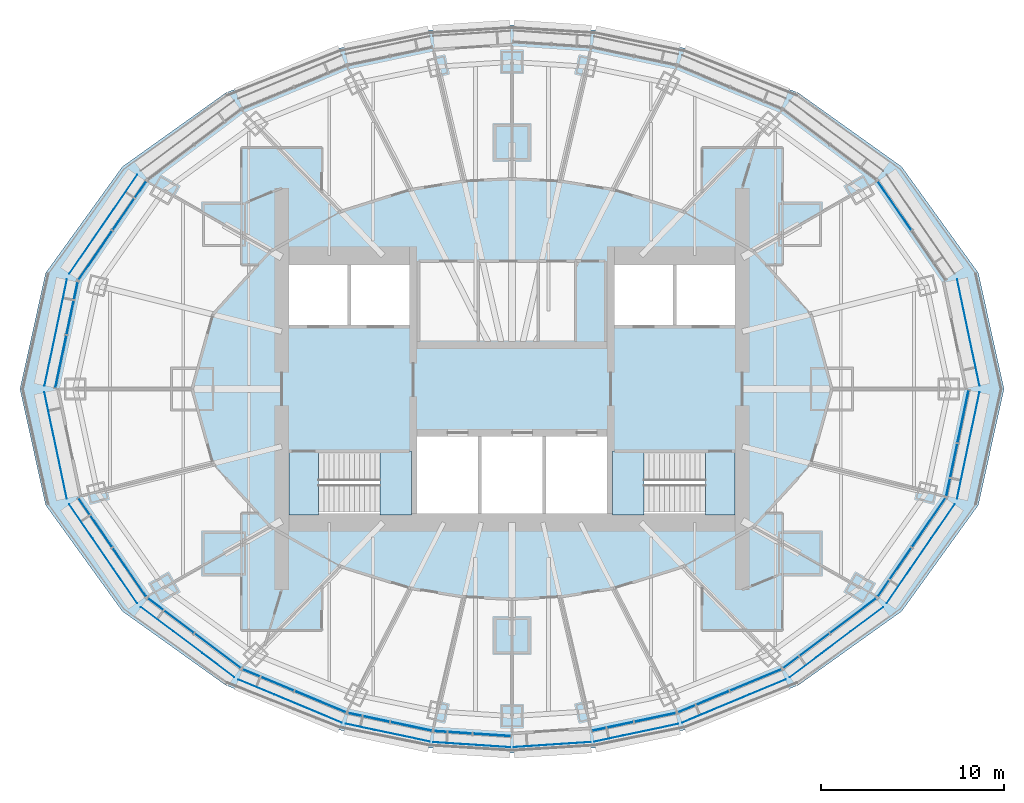
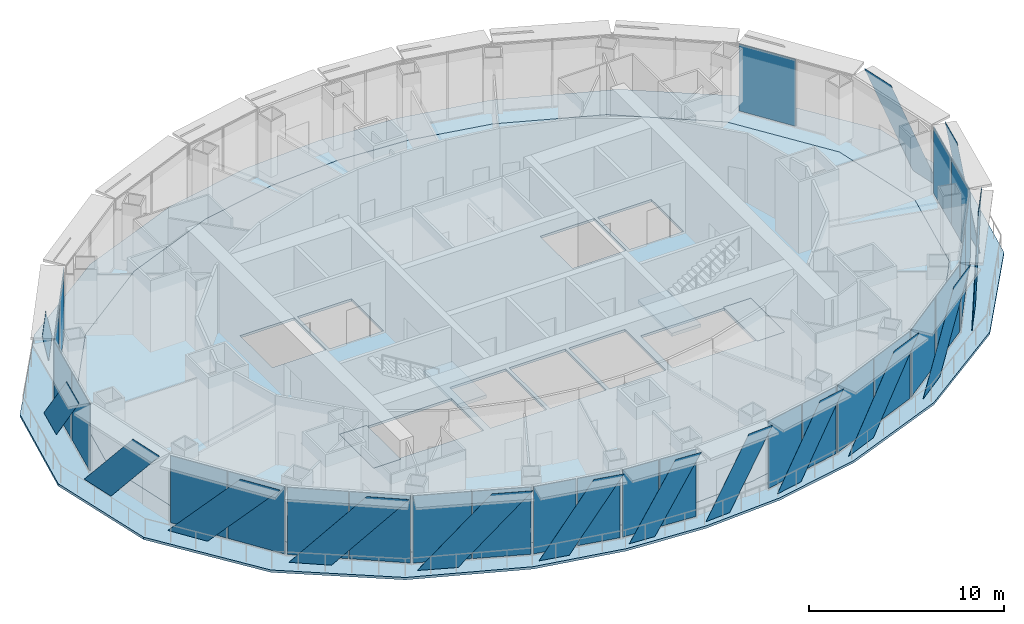
# One storey, part 8 of 17: 40 plates, 6 slabs, 15 elements without a shape of their own.
"""IFC4 building model written with IfcOpenShell, lengths in metres."""

import ifcopenshell
import ifcopenshell.guid

model = None  # the IFC model being written
_history = None  # IfcOwnerHistory: only IFC2X3 demands one
_inside = {}  # id of a spatial element -> (the spatial element, [elements in it])
_under = {}  # id of a project, library or spatial element -> (it, [spatial elements below it])
_declared = {}  # id of a project -> (the project, [libraries it declares])
_typed = {}  # id of a type object -> (the type object, [elements of that type])
_made_of = {}  # id of a material, layer set ... -> (it, [elements and type objects made of it])


def new_model(schema):
    """Start an empty IFC model of exactly this schema.

    Asked for "IFC4X3", IfcOpenShell would pick the latest addendum, in which some entities
    have other attributes; the version numbers below select the first issue.
    IFC2X3 requires an IfcOwnerHistory on every rooted entity: one is made here for all.
    """
    global model, _history
    if schema == "IFC4X3":
        model = ifcopenshell.file(schema_version=(4, 3, 0, 0))
    else:
        model = ifcopenshell.file(schema=schema)
    _inside.clear()
    _under.clear()
    _declared.clear()
    _typed.clear()
    _made_of.clear()
    _history = None
    if model.schema == "IFC2X3":
        org = make("IfcOrganization", Name="unknown")
        user = make(
            "IfcPersonAndOrganization",
            ThePerson=make("IfcPerson", FamilyName="unknown"),
            TheOrganization=org,
        )
        app = make(
            "IfcApplication",
            ApplicationDeveloper=org,
            Version="unknown",
            ApplicationFullName="unknown",
            ApplicationIdentifier="unknown",
        )
        _history = make(
            "IfcOwnerHistory",
            OwningUser=user,
            OwningApplication=app,
            ChangeAction="ADDED",
            CreationDate=0,
        )
    return model


def make(cls, **values):
    """One entity of the class cls with the attributes given. An attribute that is None is left unset."""
    return model.create_entity(
        cls, **{name: value for name, value in values.items() if value is not None}
    )


def rooted(cls, **values):
    """An entity with a GlobalId (a new one), such as an element, a storey or a relation."""
    return make(cls, GlobalId=ifcopenshell.guid.new(), OwnerHistory=_history, **values)


def si_unit(unit_type, name, prefix=None):
    """IfcSIUnit, for example si_unit("LENGTHUNIT", "METRE", prefix="MILLI")."""
    return make("IfcSIUnit", UnitType=unit_type, Prefix=prefix, Name=name)


def assignment(units):
    """IfcUnitAssignment: the units of a project."""
    return None if units is None else make("IfcUnitAssignment", Units=units)


def point(xyz):
    """IfcCartesianPoint."""
    return None if xyz is None else make("IfcCartesianPoint", Coordinates=xyz)


def direction(xyz):
    """IfcDirection."""
    return None if xyz is None else make("IfcDirection", DirectionRatios=xyz)


def frame(location, z_axis=None, x_axis=None):
    """IfcAxis2Placement3D, a coordinate frame: its origin and axes. An axis left out is left unset."""
    return make(
        "IfcAxis2Placement3D",
        Location=point(location),
        Axis=direction(z_axis),
        RefDirection=direction(x_axis),
    )


def frame_2d(location, x_axis=None):
    """IfcAxis2Placement2D, a coordinate frame in the plane: its origin and x axis."""
    return make(
        "IfcAxis2Placement2D", Location=point(location), RefDirection=direction(x_axis)
    )


def origin():
    """The frame at (0, 0, 0) with its axes left unset."""
    return frame((0.0, 0.0, 0.0))


def origin_2d():
    """The frame at (0, 0) in the plane with its x axis left unset."""
    return frame_2d((0.0, 0.0))


def place(relative_to, where):
    """IfcLocalPlacement: puts the frame where relative to a parent placement (None: the world)."""
    return make(
        "IfcLocalPlacement", PlacementRelTo=relative_to, RelativePlacement=where
    )


def context(
    kind, dimensions, precision=None, world=None, true_north=None, identifier=None
):
    """IfcGeometricRepresentationContext, for example the 3D "Model" context."""
    return make(
        "IfcGeometricRepresentationContext",
        ContextIdentifier=identifier,
        ContextType=kind,
        CoordinateSpaceDimension=dimensions,
        Precision=precision,
        WorldCoordinateSystem=world,
        TrueNorth=true_north,
    )


def subcontext(parent, identifier, kind, view, scale=None):
    """IfcGeometricRepresentationSubContext, for example "Body" below "Model"."""
    return make(
        "IfcGeometricRepresentationSubContext",
        ContextIdentifier=identifier,
        ContextType=kind,
        ParentContext=parent,
        TargetScale=scale,
        TargetView=view,
    )


def project(units=None, contexts=None):
    """IfcProject with its units and contexts."""
    return rooted(
        "IfcProject",
        Name="project",
        RepresentationContexts=contexts,
        UnitsInContext=assignment(units),
    )


def spatial(cls, under=None, at=None, **own):
    """A site, building, storey or space (cls), placed at a placement, below another one or the project."""
    s = rooted(cls, ObjectPlacement=at, **own)
    if under is not None:
        _under.setdefault(under.id(), (under, []))[1].append(s)
    return s


def polyline(points):
    """IfcPolyline through the points."""
    return make("IfcPolyline", Points=[point(p) for p in points])


def profile(cls, at=None, kind="AREA", **sizes):
    """A parametric profile (cls). Its sizes go by their IFC names, for example OverallWidth=200.0."""
    return make(cls, ProfileType=kind, Position=at, **sizes)


def rectangle(**sizes):
    """IfcRectangleProfileDef."""
    return profile("IfcRectangleProfileDef", **sizes)


def outline(outer, holes=None, kind="AREA"):
    """IfcArbitraryClosedProfileDef: a profile drawn as a closed curve; with holes, ...WithVoids."""
    if holes is None:
        return make("IfcArbitraryClosedProfileDef", ProfileType=kind, OuterCurve=outer)
    return make(
        "IfcArbitraryProfileDefWithVoids",
        ProfileType=kind,
        OuterCurve=outer,
        InnerCurves=holes,
    )


def extrude(swept, where, along, depth):
    """IfcExtrudedAreaSolid: the profile swept, set in the frame where, extruded along a direction by depth."""
    return make(
        "IfcExtrudedAreaSolid",
        SweptArea=swept,
        Position=where,
        ExtrudedDirection=direction(along),
        Depth=depth,
    )


def shape(context_of_items, identifier, shape_type, items):
    """IfcShapeRepresentation: the items that make up one representation, for example the "Body"."""
    return make(
        "IfcShapeRepresentation",
        ContextOfItems=context_of_items,
        RepresentationIdentifier=identifier,
        RepresentationType=shape_type,
        Items=items,
    )


def material(Name=None, Category=None):
    """IfcMaterial."""
    return make("IfcMaterial", Name=Name, Category=Category)


def layer(
    of_material, thickness, ventilated=None, Name=None, Category=None, Priority=None
):
    """IfcMaterialLayer: one layer of a wall or slab, of a material (None: an air gap)."""
    return make(
        "IfcMaterialLayer",
        Material=of_material,
        LayerThickness=thickness,
        IsVentilated=ventilated,
        Name=Name,
        Category=Category,
        Priority=Priority,
    )


def layer_set(layers, Name=None):
    """IfcMaterialLayerSet."""
    return make("IfcMaterialLayerSet", MaterialLayers=layers, LayerSetName=Name)


def made_of(thing, what):
    """Note that an element or type object is made of a material, layer set ...; save() writes the relation."""
    if what is not None:
        _made_of.setdefault(what.id(), (what, []))[1].append(thing)
    return thing


def type_object(cls, material=None, **own):
    """A type object (cls), such as IfcWallType, which elements share."""
    return made_of(rooted(cls, **own), material)


def element(
    cls,
    number,
    at=None,
    inside=None,
    cuts=None,
    type_object=None,
    material=None,
    context=None,
    identifier="Body",
    shape_type=None,
    held_by="IfcProductDefinitionShape",
    body=None,
    shapes=None,
    **own,
):
    """One element of the class cls, such as IfcWall. Its Tag is "e" and its number.

    at: its placement. inside: the storey or other place that contains it. cuts: it is an
    opening in that element (IfcRelVoidsElement). A single representation is given by context,
    identifier, shape_type and body (its items); several are given by shapes. held_by: the class
    of the entity that holds the representations. save() writes the other relations.
    """
    e = rooted(cls, Tag="e%d" % number, ObjectPlacement=at, **own)
    if body is not None:
        shapes = [shape(context, identifier, shape_type, body)]
    if shapes is not None:
        e.Representation = make(held_by, Representations=shapes)
    if inside is not None:
        _inside.setdefault(inside.id(), (inside, []))[1].append(e)
    if cuts is not None:
        rooted(
            "IfcRelVoidsElement", RelatingBuildingElement=cuts, RelatedOpeningElement=e
        )
    if type_object is not None:
        _typed.setdefault(type_object.id(), (type_object, []))[1].append(e)
    return made_of(e, material)


def aggregate(whole, parts):
    """IfcRelAggregates: a whole, such as a stair, and the parts it consists of."""
    return rooted("IfcRelAggregates", RelatingObject=whole, RelatedObjects=parts)


def save(model, path):
    """Write the relations noted so far, then the file.

    IfcRelAggregates (storeys below a building ...), IfcRelContainedInSpatialStructure (elements
    in a storey), IfcRelDefinesByType, IfcRelAssociatesMaterial and IfcRelDeclares: one each for
    every whole, place, type object, material and project.
    """
    for whole, parts in _under.values():
        aggregate(whole, parts)
    for where, things in _inside.values():
        rooted(
            "IfcRelContainedInSpatialStructure",
            RelatedElements=things,
            RelatingStructure=where,
        )
    for kind, things in _typed.values():
        rooted("IfcRelDefinesByType", RelatedObjects=things, RelatingType=kind)
    for what, things in _made_of.values():
        rooted("IfcRelAssociatesMaterial", RelatedObjects=things, RelatingMaterial=what)
    for by, libraries in _declared.values():
        rooted("IfcRelDeclares", RelatingContext=by, RelatedDefinitions=libraries)
    model.write(path)


model = new_model("IFC4")

# Units and contexts
model_context = context("Model", 3, precision=1e-05, world=origin(), true_north=direction((0.0, 1.0)))
body_context = subcontext(model_context, "Body", "Model", "MODEL_VIEW")
ifc_project = project(units=[si_unit("LENGTHUNIT", "METRE"), si_unit("AREAUNIT", "SQUARE_METRE"), si_unit("VOLUMEUNIT", "CUBIC_METRE"), si_unit("PLANEANGLEUNIT", "RADIAN"), si_unit("MASSUNIT", "GRAM", prefix="KILO")], contexts=[model_context])

# Site, building, storey
site_placement = place(None, origin())
site = spatial("IfcSite", under=ifc_project, at=site_placement, CompositionType="ELEMENT")
building_placement = place(site_placement, origin())
building = spatial("IfcBuilding", under=site, at=building_placement, Name="Lantaw Convention Tower", CompositionType="ELEMENT")
storey_placement = place(building_placement, frame((0.0, 0.0, 270.39990234375)))
storey = spatial("IfcBuildingStorey", under=building, at=storey_placement, Name="L63", CompositionType="ELEMENT", Elevation=270.39990234375)

# Curtain wall, plate
ifc_material_1 = material(Name="Aluminium framed curtain wall", Category="aluminium")
curtain_wall_type = type_object("IfcCurtainWallType", Name="Executive floors curtain wall, pale aluminium", PredefinedType="USERDEFINED", material=ifc_material_1)
curtain_wall_1_placement = place(storey_placement, origin())
curtain_wall_1 = element("IfcCurtainWall", 1, at=curtain_wall_1_placement, inside=storey, type_object=curtain_wall_type, Name="Executive floors curtain wall, pale aluminium L63", ObjectType="UNITISED CURTAIN WALL", PredefinedType="USERDEFINED")
ifc_material_2 = material(Name="Clear insulating glass", Category="glass")
ifc_layer_1 = layer(ifc_material_2, 0.030029296875)
ifc_layer_set_1 = layer_set([ifc_layer_1], Name="CW-T panel 30")
plate_type_1 = type_object("IfcPlateType", Name="CW-T panel 30", PredefinedType="CURTAIN_PANEL", material=ifc_layer_set_1)
plate_1_placement = place(storey_placement, frame((20.93505859375, 10.030029296875, 0.070068359375), z_axis=(0.0, 0.0, 1.0), x_axis=(-0.565934832921, 0.824449977189, 0.0)))
plate_1 = element("IfcPlate", 2, at=plate_1_placement, type_object=plate_type_1, Name="CW-T panel 2.1", PredefinedType="CURTAIN_PANEL", context=body_context, shape_type="SweptSolid", body=[
    extrude(rectangle(XDim=3.22802734375, YDim=0.030029296875, at=origin_2d()), origin(), (0.0, 0.0, 1.0), 4.2099609375),
])
aggregate(curtain_wall_1, [plate_1])

# Curtain wall, plates
curtain_wall_2_placement = place(storey_placement, origin())
curtain_wall_2 = element("IfcCurtainWall", 3, at=curtain_wall_2_placement, inside=storey, type_object=curtain_wall_type, Name="Executive floors curtain wall, pale aluminium L63", ObjectType="UNITISED CURTAIN WALL", PredefinedType="USERDEFINED")
plate_2_placement = place(storey_placement, frame((-20.93505859375, 10.030029296875, 0.070068359375), z_axis=(0.0, 0.0, 1.0), x_axis=(-0.565934832921, -0.824449977189, 0.0)))
plate_2 = element("IfcPlate", 4, at=plate_2_placement, type_object=plate_type_1, Name="CW-T panel 1.1", PredefinedType="CURTAIN_PANEL", context=body_context, shape_type="SweptSolid", body=[
    extrude(rectangle(XDim=3.22802734375, YDim=0.030029296875, at=origin_2d()), origin(), (0.0, 0.0, 1.0), 4.2099609375),
])
plate_3_placement = place(storey_placement, frame((-22.80126953125, 7.31103515625, 0.070068359375), z_axis=(0.0, 0.0, 1.0), x_axis=(-0.565934832921, -0.824449977189, 0.0)))
plate_3 = element("IfcPlate", 5, at=plate_3_placement, type_object=plate_type_1, Name="CW-T panel 2.1", PredefinedType="CURTAIN_PANEL", context=body_context, shape_type="SweptSolid", body=[
    extrude(rectangle(XDim=3.22802734375, YDim=0.030029296875, at=origin_2d()), origin(), (0.0, 0.0, 1.0), 4.2099609375),
])
aggregate(curtain_wall_2, [plate_2, plate_3])

curtain_wall_3_placement = place(storey_placement, origin())
curtain_wall_3 = element("IfcCurtainWall", 6, at=curtain_wall_3_placement, inside=storey, type_object=curtain_wall_type, Name="Executive floors curtain wall, pale aluminium L63", ObjectType="UNITISED CURTAIN WALL", PredefinedType="USERDEFINED")
plate_4_placement = place(storey_placement, frame((-24.0693359375, 4.4248046875, 0.070068359375), z_axis=(0.0, 0.0, 1.0), x_axis=(-0.205814054946, -0.978591117263, 0.0)))
plate_4 = element("IfcPlate", 7, at=plate_4_placement, type_object=plate_type_1, Name="CW-T panel 1.1", PredefinedType="CURTAIN_PANEL", context=body_context, shape_type="SweptSolid", body=[
    extrude(rectangle(XDim=2.921142578125, YDim=0.030029296875, at=origin_2d()), origin(), (0.0, 0.0, 1.0), 4.2099609375),
])
plate_5_placement = place(storey_placement, frame((-24.68505859375, 1.497802734375, 0.070068359375), z_axis=(0.0, 0.0, 1.0), x_axis=(-0.205814054946, -0.978591117263, 0.0)))
plate_5 = element("IfcPlate", 8, at=plate_5_placement, type_object=plate_type_1, Name="CW-T panel 2.1", PredefinedType="CURTAIN_PANEL", context=body_context, shape_type="SweptSolid", body=[
    extrude(rectangle(XDim=2.921142578125, YDim=0.030029296875, at=origin_2d()), origin(), (0.0, 0.0, 1.0), 4.2099609375),
])
aggregate(curtain_wall_3, [plate_4, plate_5])

curtain_wall_4_placement = place(storey_placement, origin())
curtain_wall_4 = element("IfcCurtainWall", 9, at=curtain_wall_4_placement, inside=storey, type_object=curtain_wall_type, Name="Executive floors curtain wall, pale aluminium L63", ObjectType="UNITISED CURTAIN WALL", PredefinedType="USERDEFINED")
plate_6_placement = place(storey_placement, frame((-22.80126953125, -7.31103515625, 0.070068359375), z_axis=(0.0, 0.0, 1.0), x_axis=(0.565934832921, -0.824449977189, 0.0)))
plate_6 = element("IfcPlate", 10, at=plate_6_placement, type_object=plate_type_1, Name="CW-T panel 1.1", PredefinedType="CURTAIN_PANEL", context=body_context, shape_type="SweptSolid", body=[
    extrude(rectangle(XDim=3.22802734375, YDim=0.030029296875, at=origin_2d()), origin(), (0.0, 0.0, 1.0), 4.2099609375),
])
plate_7_placement = place(storey_placement, frame((-20.93505859375, -10.030029296875, 0.070068359375), z_axis=(0.0, 0.0, 1.0), x_axis=(0.565934832921, -0.824449977189, 0.0)))
plate_7 = element("IfcPlate", 11, at=plate_7_placement, type_object=plate_type_1, Name="CW-T panel 2.1", PredefinedType="CURTAIN_PANEL", context=body_context, shape_type="SweptSolid", body=[
    extrude(rectangle(XDim=3.22802734375, YDim=0.030029296875, at=origin_2d()), origin(), (0.0, 0.0, 1.0), 4.2099609375),
])
aggregate(curtain_wall_4, [plate_6, plate_7])

curtain_wall_5_placement = place(storey_placement, origin())
curtain_wall_5 = element("IfcCurtainWall", 12, at=curtain_wall_5_placement, inside=storey, type_object=curtain_wall_type, Name="Executive floors curtain wall, pale aluminium L63", ObjectType="UNITISED CURTAIN WALL", PredefinedType="USERDEFINED")
plate_8_placement = place(storey_placement, frame((-18.67041015625, -12.403564453125, 0.070068359375), z_axis=(0.0, 0.0, 1.0), x_axis=(0.799517528732, -0.600642756762, 0.0)))
plate_8 = element("IfcPlate", 13, at=plate_8_placement, type_object=plate_type_1, Name="CW-T panel 1.1", PredefinedType="CURTAIN_PANEL", context=body_context, shape_type="SweptSolid", body=[
    extrude(rectangle(XDim=3.140869140625, YDim=0.030029296875, at=origin_2d()), origin(), (0.0, 0.0, 1.0), 4.2099609375),
])
plate_9_placement = place(storey_placement, frame((-16.103271484375, -14.33203125, 0.070068359375), z_axis=(0.0, 0.0, 1.0), x_axis=(0.799517528732, -0.600642756762, 0.0)))
plate_9 = element("IfcPlate", 14, at=plate_9_placement, type_object=plate_type_1, Name="CW-T panel 2.1", PredefinedType="CURTAIN_PANEL", context=body_context, shape_type="SweptSolid", body=[
    extrude(rectangle(XDim=3.140869140625, YDim=0.030029296875, at=origin_2d()), origin(), (0.0, 0.0, 1.0), 4.2099609375),
])
aggregate(curtain_wall_5, [plate_8, plate_9])

curtain_wall_6_placement = place(storey_placement, origin())
curtain_wall_6 = element("IfcCurtainWall", 15, at=curtain_wall_6_placement, inside=storey, type_object=curtain_wall_type, Name="Executive floors curtain wall, pale aluminium L63", ObjectType="UNITISED CURTAIN WALL", PredefinedType="USERDEFINED")
plate_10_placement = place(storey_placement, frame((-13.334716796875, -15.92431640625, 0.070068359375), z_axis=(0.0, 0.0, 1.0), x_axis=(0.923141777124, -0.384459697924, 0.0)))
plate_10 = element("IfcPlate", 16, at=plate_10_placement, type_object=plate_type_1, Name="CW-T panel 1.1", PredefinedType="CURTAIN_PANEL", context=body_context, shape_type="SweptSolid", body=[
    extrude(rectangle(XDim=3.01708984375, YDim=0.030029296875, at=origin_2d()), origin(), (0.0, 0.0, 1.0), 4.2099609375),
])
plate_11_placement = place(storey_placement, frame((-10.48486328125, -17.111083984375, 0.070068359375), z_axis=(0.0, 0.0, 1.0), x_axis=(0.923141777124, -0.384459697924, 0.0)))
plate_11 = element("IfcPlate", 17, at=plate_11_placement, type_object=plate_type_1, Name="CW-T panel 2.1", PredefinedType="CURTAIN_PANEL", context=body_context, shape_type="SweptSolid", body=[
    extrude(rectangle(XDim=3.01708984375, YDim=0.030029296875, at=origin_2d()), origin(), (0.0, 0.0, 1.0), 4.2099609375),
])
aggregate(curtain_wall_6, [plate_10, plate_11])

curtain_wall_7_placement = place(storey_placement, origin())
curtain_wall_7 = element("IfcCurtainWall", 18, at=curtain_wall_7_placement, inside=storey, type_object=curtain_wall_type, Name="Executive floors curtain wall, pale aluminium L63", ObjectType="UNITISED CURTAIN WALL", PredefinedType="USERDEFINED")
plate_12_placement = place(storey_placement, frame((-7.833740234375, -17.970703125, 0.070068359375), z_axis=(0.0, 0.0, 1.0), x_axis=(0.978332497083, -0.207039911975, 0.0)))
plate_12 = element("IfcPlate", 19, at=plate_12_placement, type_object=plate_type_1, Name="CW-T panel 1.1", PredefinedType="CURTAIN_PANEL", context=body_context, shape_type="SweptSolid", body=[
    extrude(rectangle(XDim=2.30078125, YDim=0.030029296875, at=origin_2d()), origin(), (0.0, 0.0, 1.0), 4.2099609375),
])
plate_13_placement = place(storey_placement, frame((-5.514404296875, -18.46142578125, 0.070068359375), z_axis=(0.0, 0.0, 1.0), x_axis=(0.978332497083, -0.207039911975, 0.0)))
plate_13 = element("IfcPlate", 20, at=plate_13_placement, type_object=plate_type_1, Name="CW-T panel 2.1", PredefinedType="CURTAIN_PANEL", context=body_context, shape_type="SweptSolid", body=[
    extrude(rectangle(XDim=2.30078125, YDim=0.030029296875, at=origin_2d()), origin(), (0.0, 0.0, 1.0), 4.2099609375),
])
aggregate(curtain_wall_7, [plate_12, plate_13])

curtain_wall_8_placement = place(storey_placement, origin())
curtain_wall_8 = element("IfcCurtainWall", 21, at=curtain_wall_8_placement, inside=storey, type_object=curtain_wall_type, Name="Executive floors curtain wall, pale aluminium L63", ObjectType="UNITISED CURTAIN WALL", PredefinedType="USERDEFINED")
plate_14_placement = place(storey_placement, frame((-3.222900390625, -18.78662109375, 0.070068359375), z_axis=(0.0, 0.0, 1.0), x_axis=(0.997817975525, -0.066024902273, 0.0)))
plate_14 = element("IfcPlate", 22, at=plate_14_placement, type_object=plate_type_1, Name="CW-T panel 1.1", PredefinedType="CURTAIN_PANEL", context=body_context, shape_type="SweptSolid", body=[
    extrude(rectangle(XDim=2.06005859375, YDim=0.030029296875, at=origin_2d()), origin(), (0.0, 0.0, 1.0), 4.2099609375),
])
plate_15_placement = place(storey_placement, frame((-1.09765625, -18.927490234375, 0.070068359375), z_axis=(0.0, 0.0, 1.0), x_axis=(0.997817975525, -0.066024902273, 0.0)))
plate_15 = element("IfcPlate", 23, at=plate_15_placement, type_object=plate_type_1, Name="CW-T panel 2.1", PredefinedType="CURTAIN_PANEL", context=body_context, shape_type="SweptSolid", body=[
    extrude(rectangle(XDim=2.06005859375, YDim=0.030029296875, at=origin_2d()), origin(), (0.0, 0.0, 1.0), 4.2099609375),
])
aggregate(curtain_wall_8, [plate_14, plate_15])

curtain_wall_9_placement = place(storey_placement, origin())
curtain_wall_9 = element("IfcCurtainWall", 24, at=curtain_wall_9_placement, inside=storey, type_object=curtain_wall_type, Name="Executive floors curtain wall, pale aluminium L63", ObjectType="UNITISED CURTAIN WALL", PredefinedType="USERDEFINED")
plate_16_placement = place(storey_placement, frame((5.514404296875, -18.46142578125, 0.070068359375), z_axis=(0.0, 0.0, 1.0), x_axis=(0.978332497083, 0.207039911975, 0.0)))
plate_16 = element("IfcPlate", 25, at=plate_16_placement, type_object=plate_type_1, Name="CW-T panel 1.1", PredefinedType="CURTAIN_PANEL", context=body_context, shape_type="SweptSolid", body=[
    extrude(rectangle(XDim=2.30078125, YDim=0.030029296875, at=origin_2d()), origin(), (0.0, 0.0, 1.0), 4.2099609375),
])
plate_17_placement = place(storey_placement, frame((7.833740234375, -17.970703125, 0.070068359375), z_axis=(0.0, 0.0, 1.0), x_axis=(0.978332497083, 0.207039911975, 0.0)))
plate_17 = element("IfcPlate", 26, at=plate_17_placement, type_object=plate_type_1, Name="CW-T panel 2.1", PredefinedType="CURTAIN_PANEL", context=body_context, shape_type="SweptSolid", body=[
    extrude(rectangle(XDim=2.30078125, YDim=0.030029296875, at=origin_2d()), origin(), (0.0, 0.0, 1.0), 4.2099609375),
])
aggregate(curtain_wall_9, [plate_16, plate_17])

curtain_wall_10_placement = place(storey_placement, origin())
curtain_wall_10 = element("IfcCurtainWall", 27, at=curtain_wall_10_placement, inside=storey, type_object=curtain_wall_type, Name="Executive floors curtain wall, pale aluminium L63", ObjectType="UNITISED CURTAIN WALL", PredefinedType="USERDEFINED")
plate_18_placement = place(storey_placement, frame((10.48486328125, -17.111083984375, 0.070068359375), z_axis=(0.0, 0.0, 1.0), x_axis=(0.923141777124, 0.384459697924, 0.0)))
plate_18 = element("IfcPlate", 28, at=plate_18_placement, type_object=plate_type_1, Name="CW-T panel 1.1", PredefinedType="CURTAIN_PANEL", context=body_context, shape_type="SweptSolid", body=[
    extrude(rectangle(XDim=3.01708984375, YDim=0.030029296875, at=origin_2d()), origin(), (0.0, 0.0, 1.0), 4.2099609375),
])
plate_19_placement = place(storey_placement, frame((13.334716796875, -15.92431640625, 0.070068359375), z_axis=(0.0, 0.0, 1.0), x_axis=(0.923141777124, 0.384459697924, 0.0)))
plate_19 = element("IfcPlate", 29, at=plate_19_placement, type_object=plate_type_1, Name="CW-T panel 2.1", PredefinedType="CURTAIN_PANEL", context=body_context, shape_type="SweptSolid", body=[
    extrude(rectangle(XDim=3.01708984375, YDim=0.030029296875, at=origin_2d()), origin(), (0.0, 0.0, 1.0), 4.2099609375),
])
aggregate(curtain_wall_10, [plate_18, plate_19])

curtain_wall_11_placement = place(storey_placement, origin())
curtain_wall_11 = element("IfcCurtainWall", 30, at=curtain_wall_11_placement, inside=storey, type_object=curtain_wall_type, Name="Executive floors curtain wall, pale aluminium L63", ObjectType="UNITISED CURTAIN WALL", PredefinedType="USERDEFINED")
plate_20_placement = place(storey_placement, frame((16.103271484375, -14.33203125, 0.070068359375), z_axis=(0.0, 0.0, 1.0), x_axis=(0.799517528732, 0.600642756762, 0.0)))
plate_20 = element("IfcPlate", 31, at=plate_20_placement, type_object=plate_type_1, Name="CW-T panel 1.1", PredefinedType="CURTAIN_PANEL", context=body_context, shape_type="SweptSolid", body=[
    extrude(rectangle(XDim=3.140869140625, YDim=0.030029296875, at=origin_2d()), origin(), (0.0, 0.0, 1.0), 4.2099609375),
])
plate_21_placement = place(storey_placement, frame((18.67041015625, -12.403564453125, 0.070068359375), z_axis=(0.0, 0.0, 1.0), x_axis=(0.799517528732, 0.600642756762, 0.0)))
plate_21 = element("IfcPlate", 32, at=plate_21_placement, type_object=plate_type_1, Name="CW-T panel 2.1", PredefinedType="CURTAIN_PANEL", context=body_context, shape_type="SweptSolid", body=[
    extrude(rectangle(XDim=3.140869140625, YDim=0.030029296875, at=origin_2d()), origin(), (0.0, 0.0, 1.0), 4.2099609375),
])
aggregate(curtain_wall_11, [plate_20, plate_21])

curtain_wall_12_placement = place(storey_placement, origin())
curtain_wall_12 = element("IfcCurtainWall", 33, at=curtain_wall_12_placement, inside=storey, type_object=curtain_wall_type, Name="Executive floors curtain wall, pale aluminium L63", ObjectType="UNITISED CURTAIN WALL", PredefinedType="USERDEFINED")
plate_22_placement = place(storey_placement, frame((20.93505859375, -10.030029296875, 0.070068359375), z_axis=(0.0, 0.0, 1.0), x_axis=(0.565934832921, 0.824449977189, 0.0)))
plate_22 = element("IfcPlate", 34, at=plate_22_placement, type_object=plate_type_1, Name="CW-T panel 1.1", PredefinedType="CURTAIN_PANEL", context=body_context, shape_type="SweptSolid", body=[
    extrude(rectangle(XDim=3.22802734375, YDim=0.030029296875, at=origin_2d()), origin(), (0.0, 0.0, 1.0), 4.2099609375),
])
plate_23_placement = place(storey_placement, frame((22.80126953125, -7.31103515625, 0.070068359375), z_axis=(0.0, 0.0, 1.0), x_axis=(0.565934832921, 0.824449977189, 0.0)))
plate_23 = element("IfcPlate", 35, at=plate_23_placement, type_object=plate_type_1, Name="CW-T panel 2.1", PredefinedType="CURTAIN_PANEL", context=body_context, shape_type="SweptSolid", body=[
    extrude(rectangle(XDim=3.22802734375, YDim=0.030029296875, at=origin_2d()), origin(), (0.0, 0.0, 1.0), 4.2099609375),
])
aggregate(curtain_wall_12, [plate_22, plate_23])

curtain_wall_13_placement = place(storey_placement, origin())
curtain_wall_13 = element("IfcCurtainWall", 36, at=curtain_wall_13_placement, inside=storey, type_object=curtain_wall_type, Name="Executive floors curtain wall, pale aluminium L63", ObjectType="UNITISED CURTAIN WALL", PredefinedType="USERDEFINED")
plate_24_placement = place(storey_placement, frame((24.0693359375, -4.4248046875, 0.070068359375), z_axis=(0.0, 0.0, 1.0), x_axis=(0.205814054946, 0.978591117263, 0.0)))
plate_24 = element("IfcPlate", 37, at=plate_24_placement, type_object=plate_type_1, Name="CW-T panel 1.1", PredefinedType="CURTAIN_PANEL", context=body_context, shape_type="SweptSolid", body=[
    extrude(rectangle(XDim=2.921142578125, YDim=0.030029296875, at=origin_2d()), origin(), (0.0, 0.0, 1.0), 4.2099609375),
])
plate_25_placement = place(storey_placement, frame((24.68505859375, -1.497802734375, 0.070068359375), z_axis=(0.0, 0.0, 1.0), x_axis=(0.205814054946, 0.978591117263, 0.0)))
plate_25 = element("IfcPlate", 38, at=plate_25_placement, type_object=plate_type_1, Name="CW-T panel 2.1", PredefinedType="CURTAIN_PANEL", context=body_context, shape_type="SweptSolid", body=[
    extrude(rectangle(XDim=2.921142578125, YDim=0.030029296875, at=origin_2d()), origin(), (0.0, 0.0, 1.0), 4.2099609375),
])
aggregate(curtain_wall_13, [plate_24, plate_25])

# Slab
ifc_material_3 = material(Name="Concrete C35/45", Category="concrete")
ifc_layer_2 = layer(ifc_material_3, 0.14990234375)
ifc_layer_set_2 = layer_set([ifc_layer_2], Name="Floor slab 150")
slab_type_1 = type_object("IfcSlabType", Name="Floor slab 150", PredefinedType="FLOOR", material=ifc_layer_set_2)
slab_1_placement = place(storey_placement, frame((0.0, 0.0, -0.14990234375)))
element("IfcSlab", 39, at=slab_1_placement, inside=storey, type_object=slab_type_1, Name="L63 floor slab", PredefinedType="FLOOR", context=body_context, shape_type="SweptSolid", body=[
    extrude(outline(polyline([(19.02685546875, -10.87255859375), (22.68701171875, -5.656494140625), (23.89990234375, 0.0), (22.68701171875, 5.656494140625), (19.02685546875, 10.87255859375), (14.027587890625, 14.526123046875), (8.5283203125, 16.73779296875), (4.072998046875, 17.642333984375), (0.0, 17.89990234375), (-4.072998046875, 17.642333984375), (-8.5283203125, 16.73779296875), (-14.027587890625, 14.526123046875), (-19.02685546875, 10.87255859375), (-22.68701171875, 5.656494140625), (-23.89990234375, 0.0), (-22.68701171875, -5.656494140625), (-19.02685546875, -10.87255859375), (-14.027587890625, -14.526123046875), (-8.5283203125, -16.73779296875), (-4.072998046875, -17.642333984375), (0.0, -17.89990234375), (4.072998046875, -17.642333984375), (8.5283203125, -16.73779296875), (14.027587890625, -14.526123046875), (19.02685546875, -10.87255859375)]), holes=[polyline([(-5.60009765625, -3.5), (-12.199951171875, -3.5), (-12.199951171875, -6.800048828125), (-5.60009765625, -6.800048828125), (-5.60009765625, -3.5)]), polyline([(12.199951171875, -3.5), (5.60009765625, -3.5), (5.60009765625, -6.800048828125), (12.199951171875, -6.800048828125), (12.199951171875, -3.5)]), polyline([(-1.86669921875, -2.60009765625), (-5.199951171875, -2.60009765625), (-5.199951171875, -6.800048828125), (-1.86669921875, -6.800048828125), (-1.86669921875, -2.60009765625)]), polyline([(1.666748046875, -2.60009765625), (-1.666748046875, -2.60009765625), (-1.666748046875, -6.800048828125), (1.666748046875, -6.800048828125), (1.666748046875, -2.60009765625)]), polyline([(5.199951171875, -2.60009765625), (1.86669921875, -2.60009765625), (1.86669921875, -6.800048828125), (5.199951171875, -6.800048828125), (5.199951171875, -2.60009765625)]), polyline([(-9.0, 6.800048828125), (-12.199951171875, 6.800048828125), (-12.199951171875, 3.5), (-9.0, 3.5), (-9.0, 6.800048828125)]), polyline([(-5.60009765625, 6.800048828125), (-8.800048828125, 6.800048828125), (-8.800048828125, 3.5), (-5.60009765625, 3.5), (-5.60009765625, 6.800048828125)]), polyline([(8.800048828125, 3.5), (8.800048828125, 6.800048828125), (5.60009765625, 6.800048828125), (5.60009765625, 3.5), (8.800048828125, 3.5)]), polyline([(12.199951171875, 3.5), (12.199951171875, 6.800048828125), (9.0, 6.800048828125), (9.0, 3.5), (12.199951171875, 3.5)])]), origin(), (0.0, 0.0, 1.0), 0.14990234375),
])

# Plates
ifc_material_4 = material(Name="Perforated aluminium sheet, pale silver finish", Category="aluminium")
ifc_layer_3 = layer(ifc_material_4, 0.006103515625)
ifc_layer_set_3 = layer_set([ifc_layer_3], Name="Perforated aluminium solar SCREEN panel")
plate_type_2 = type_object("IfcPlateType", Name="Perforated aluminium solar SCREEN panel", PredefinedType="SHEET", material=ifc_layer_set_3)
plate_26_placement = place(storey_placement, frame((25.582763671875, 0.173583984375, -0.1748046875), z_axis=(-0.978586273284, -0.205837083609, 2.7416916e-05), x_axis=(-0.205837083686, 0.978586273652, -3.35e-10)))
element("IfcPlate", 40, at=plate_26_placement, inside=storey, type_object=plate_type_2, Name="Solar SCREEN panel", PredefinedType="SHEET", context=body_context, shape_type="SweptSolid", body=[
    extrude(outline(polyline([(0.0, 0.0), (2.0577409485534544, 0.0), (5.952387788728329, -4.6398925818616235), (3.8944079275104078, -4.639892580483756), (0.0, 0.0)])), origin(), (0.0, 0.0, -1.0), 0.006103515625),
])
plate_27_placement = place(storey_placement, frame((-20.509765625, 11.719970703125, -0.1748046875), z_axis=(-0.824440912544, 0.5659480379, 1.1008019e-05), x_axis=(-0.565948037934, -0.824440912594, -4.89e-10)))
element("IfcPlate", 41, at=plate_27_placement, inside=storey, type_object=plate_type_2, Name="Solar SCREEN panel", PredefinedType="SHEET", context=body_context, shape_type="SweptSolid", body=[
    extrude(outline(polyline([(0.0, 0.0), (2.266342113131426, 1.6940658945086007e-21), (6.565730723168267, 4.639892581615616), (4.299526780944539, 4.639892579399994), (0.0, 0.0)])), origin(), (0.0, 0.0, -1.0), 0.006103515625),
])
plate_28_placement = place(storey_placement, frame((-24.357666015625, 5.99853515625, -0.1748046875), z_axis=(-0.978586273284, 0.205837083609, 2.7416916e-05), x_axis=(-0.205837083686, -0.978586273652, 3.35e-10)))
element("IfcPlate", 42, at=plate_28_placement, inside=storey, type_object=plate_type_2, Name="Solar SCREEN panel", PredefinedType="SHEET", context=body_context, shape_type="SweptSolid", body=[
    extrude(outline(polyline([(0.0, 0.0), (2.05797986121792, 0.0), (5.952387791834848, 4.639892577876355), (3.8946468432813948, 4.639892579254063), (0.0, 0.0)])), origin(), (0.0, 0.0, -1.0), 0.006103515625),
])
plate_29_placement = place(storey_placement, frame((-25.582763671875, -0.173583984375, -0.1748046875), z_axis=(0.978586273284, 0.205837083609, 2.7416916e-05), x_axis=(0.205837083686, -0.978586273652, -3.35e-10)))
element("IfcPlate", 43, at=plate_29_placement, inside=storey, type_object=plate_type_2, Name="Solar SCREEN panel", PredefinedType="SHEET", context=body_context, shape_type="SweptSolid", body=[
    extrude(outline(polyline([(0.0, 0.0), (2.0577409485534544, 0.0), (5.952387788728329, -4.6398925818616235), (3.8944079275104078, -4.639892580483756), (0.0, 0.0)])), origin(), (0.0, 0.0, -1.0), 0.006103515625),
])
plate_30_placement = place(storey_placement, frame((-24.2255859375, -6.306884765625, -0.1748046875), z_axis=(0.824440912544, 0.5659480379, 1.1008019e-05), x_axis=(0.565948037934, -0.824440912594, 4.89e-10)))
element("IfcPlate", 44, at=plate_30_placement, inside=storey, type_object=plate_type_2, Name="Solar SCREEN panel", PredefinedType="SHEET", context=body_context, shape_type="SweptSolid", body=[
    extrude(outline(polyline([(0.0, 0.0), (2.2662039422237275, 0.0), (6.5657307277045955, -4.639892575196436), (4.29938861457317, -4.639892577412192), (0.0, 0.0)])), origin(), (0.0, 0.0, -1.0), 0.006103515625),
])
plate_31_placement = place(storey_placement, frame((-20.305908203125, -11.932861328125, -0.1748046875), z_axis=(-0.600672301748, -0.799495331375, 3.198432e-05), x_axis=(0.799495331784, -0.600672302055, 1.414e-09)))
element("IfcPlate", 45, at=plate_31_placement, inside=storey, type_object=plate_type_2, Name="Solar SCREEN panel", PredefinedType="SHEET", context=body_context, shape_type="SweptSolid", body=[
    extrude(outline(polyline([(0.0, 0.0), (2.2071296040750283, 0.0), (6.391554874574737, 4.6398925714588515), (4.184278621988465, 4.639892577702056), (0.0, 0.0)])), origin(), (0.0, 0.0, -1.0), 0.006103515625),
])
plate_32_placement = place(storey_placement, frame((-14.978759765625, -15.89599609375, -0.1748046875), z_axis=(0.38443981788, 0.923150056246, 8.994749e-06), x_axis=(0.923150056284, -0.384439817896, -1.99e-10)))
element("IfcPlate", 46, at=plate_32_placement, inside=storey, type_object=plate_type_2, Name="Solar SCREEN panel", PredefinedType="SHEET", context=body_context, shape_type="SweptSolid", body=[
    extrude(outline(polyline([(0.0, 0.0), (2.123103262468179, 0.0), (6.1440618510600045, -4.639892579534249), (4.021183967023536, -4.63989257869007), (0.0, 0.0)])), origin(), (0.0, 0.0, -1.0), 0.006103515625),
])
plate_33_placement = place(storey_placement, frame((-9.104248046875, -18.321044921875, -0.1748046875), z_axis=(-0.207067097355, -0.978326743573, 1.743264e-06), x_axis=(0.978326743574, -0.207067097355, -1.54e-10)))
element("IfcPlate", 47, at=plate_33_placement, inside=storey, type_object=plate_type_2, Name="Solar SCREEN panel", PredefinedType="SHEET", context=body_context, shape_type="SweptSolid", body=[
    extrude(outline(polyline([(0.0, 0.0), (1.6358254236472698, 0.0), (4.711486581246437, 4.639892578858586), (3.075472861787101, 4.6398925783540514), (0.0, 0.0)])), origin(), (0.0, 0.0, -1.0), 0.006103515625),
])
plate_34_placement = place(storey_placement, frame((-4.310546875, -19.322021484375, -0.1748046875), z_axis=(0.066001689438, 0.997819510926, 2.4641594e-05), x_axis=(0.997819511229, -0.066001689458, 0.0)))
element("IfcPlate", 48, at=plate_34_placement, inside=storey, type_object=plate_type_2, Name="Solar SCREEN panel", PredefinedType="SHEET", context=body_context, shape_type="SweptSolid", body=[
    extrude(outline(polyline([(0.0, 0.0), (1.4722042654949696, 0.0), (4.229933994839303, -4.639892579533692), (2.7577297293443337, -4.639892579533692), (0.0, 0.0)])), origin(), (0.0, 0.0, -1.0), 0.006103515625),
])
plate_35_placement = place(storey_placement, frame((0.08984375, -19.601318359375, -0.1748046875), z_axis=(0.066001689438, -0.997819510926, 2.4641594e-05), x_axis=(0.997819511229, 0.066001689458, 0.0)))
element("IfcPlate", 49, at=plate_35_placement, inside=storey, type_object=plate_type_2, Name="Solar SCREEN panel", PredefinedType="SHEET", context=body_context, shape_type="SweptSolid", body=[
    extrude(outline(polyline([(0.0, 0.0), (1.4722042654949696, 0.0), (4.229933994839303, 4.639892579533692), (2.7577297293443337, 4.639892579533692), (0.0, 0.0)])), origin(), (0.0, 0.0, -1.0), 0.006103515625),
])
plate_36_placement = place(storey_placement, frame((4.494873046875, -19.296630859375, -0.1748046875), z_axis=(-0.207067097355, 0.978326743573, 1.743264e-06), x_axis=(0.978326743574, 0.207067097355, 1.54e-10)))
element("IfcPlate", 50, at=plate_36_placement, inside=storey, type_object=plate_type_2, Name="Solar SCREEN panel", PredefinedType="SHEET", context=body_context, shape_type="SweptSolid", body=[
    extrude(outline(polyline([(0.0, 0.0), (1.6360137194593352, 0.0), (4.711486582677345, -4.639892577405598), (3.0756611590300755, -4.639892577910074), (0.0, 0.0)])), origin(), (0.0, 0.0, -1.0), 0.006103515625),
])
plate_37_placement = place(storey_placement, frame((9.306884765625, -18.258056640625, -0.1748046875), z_axis=(0.38443981788, -0.923150056246, 8.994749e-06), x_axis=(0.923150056284, 0.384439817896, 1.99e-10)))
element("IfcPlate", 51, at=plate_37_placement, inside=storey, type_object=plate_type_2, Name="Solar SCREEN panel", PredefinedType="SHEET", context=body_context, shape_type="SweptSolid", body=[
    extrude(outline(polyline([(0.0, 0.0), (2.1228778840364693, 8.470329472543003e-22), (6.144061852905094, 4.639892577091015), (4.020958590436915, 4.639892577935282), (0.0, 0.0)])), origin(), (0.0, 0.0, -1.0), 0.006103515625),
])
plate_38_placement = place(storey_placement, frame((15.19580078125, -15.77197265625, -0.1748046875), z_axis=(-0.600672301748, 0.799495331375, 3.198432e-05), x_axis=(0.799495331784, 0.600672302055, -1.414e-09)))
element("IfcPlate", 52, at=plate_38_placement, inside=storey, type_object=plate_type_2, Name="Solar SCREEN panel", PredefinedType="SHEET", context=body_context, shape_type="SweptSolid", body=[
    extrude(outline(polyline([(0.0, 0.0), (2.207276252586272, 0.0), (6.391554861450962, -4.639892589537142), (4.184425257375934, -4.639892583294353), (0.0, 0.0)])), origin(), (0.0, 0.0, -1.0), 0.006103515625),
])
plate_39_placement = place(storey_placement, frame((20.509765625, -11.719970703125, -0.1748046875), z_axis=(0.824440912544, -0.5659480379, 1.1008019e-05), x_axis=(0.565948037934, 0.824440912594, -4.89e-10)))
element("IfcPlate", 53, at=plate_39_placement, inside=storey, type_object=plate_type_2, Name="Solar SCREEN panel", PredefinedType="SHEET", context=body_context, shape_type="SweptSolid", body=[
    extrude(outline(polyline([(0.0, 0.0), (2.266342113131426, 1.6940658945086007e-21), (6.565730723168267, 4.639892581615616), (4.299526780944539, 4.639892579399994), (0.0, 0.0)])), origin(), (0.0, 0.0, -1.0), 0.006103515625),
])
plate_40_placement = place(storey_placement, frame((24.357666015625, -5.99853515625, -0.1748046875), z_axis=(0.978586273284, -0.205837083609, 2.7416916e-05), x_axis=(0.205837083686, 0.978586273652, 3.35e-10)))
element("IfcPlate", 54, at=plate_40_placement, inside=storey, type_object=plate_type_2, Name="Solar SCREEN panel", PredefinedType="SHEET", context=body_context, shape_type="SweptSolid", body=[
    extrude(outline(polyline([(0.0, 0.0), (2.05797986121792, 0.0), (5.952387791834848, 4.639892577876355), (3.8946468432813948, 4.639892579254063), (0.0, 0.0)])), origin(), (0.0, 0.0, -1.0), 0.006103515625),
])

# Stair, slabs
stair_type = type_object("IfcStairType", Name="Exit stair 1500 riser 173.08 in 2 flights", PredefinedType="HALF_TURN_STAIR", material=ifc_material_3)
stair_1_placement = place(storey_placement, origin())
stair_1 = element("IfcStair", 55, at=stair_1_placement, inside=storey, type_object=stair_type, Name="Exit stair S1 L63", PredefinedType="HALF_TURN_STAIR")
ifc_layer_4 = layer(ifc_material_3, 0.199951171875)
ifc_layer_set_4 = layer_set([ifc_layer_4], Name="Stair landing 200")
slab_type_2 = type_object("IfcSlabType", Name="Stair landing 200", PredefinedType="LANDING", material=ifc_layer_set_4)
slab_2_placement = place(storey_placement, frame((0.0, 0.0, -0.199951171875)))
slab_2 = element("IfcSlab", 56, at=slab_2_placement, type_object=slab_type_2, Name="S1 landing 1", PredefinedType="LANDING", context=body_context, shape_type="SweptSolid", body=[
    extrude(outline(polyline([(-12.199951171875, -6.89990234375), (-10.580078125, -6.89990234375), (-10.580078125, -3.39990234375), (-12.199951171875, -3.39990234375), (-12.199951171875, -6.89990234375)])), origin(), (0.0, 0.0, 1.0), 0.199951171875),
])
slab_3_placement = place(storey_placement, frame((0.0, 0.0, 2.050048828125)))
slab_3 = element("IfcSlab", 57, at=slab_3_placement, type_object=slab_type_2, Name="S1 landing 2", PredefinedType="LANDING", context=body_context, shape_type="SweptSolid", body=[
    extrude(outline(polyline([(-7.219970703125, -6.89990234375), (-5.5, -6.89990234375), (-5.5, -3.39990234375), (-7.219970703125, -3.39990234375), (-7.219970703125, -6.89990234375)])), origin(), (0.0, 0.0, 1.0), 0.199951171875),
])
aggregate(stair_1, [slab_2, slab_3])

stair_2_placement = place(storey_placement, origin())
stair_2 = element("IfcStair", 58, at=stair_2_placement, inside=storey, type_object=stair_type, Name="Exit stair S2 L63", PredefinedType="HALF_TURN_STAIR")
slab_4_placement = place(storey_placement, frame((0.0, 0.0, -0.199951171875)))
slab_4 = element("IfcSlab", 59, at=slab_4_placement, type_object=slab_type_2, Name="S2 landing 1", PredefinedType="LANDING", context=body_context, shape_type="SweptSolid", body=[
    extrude(outline(polyline([(10.580078125, -6.89990234375), (12.199951171875, -6.89990234375), (12.199951171875, -3.39990234375), (10.580078125, -3.39990234375), (10.580078125, -6.89990234375)])), origin(), (0.0, 0.0, 1.0), 0.199951171875),
])
slab_5_placement = place(storey_placement, frame((0.0, 0.0, 2.050048828125)))
slab_5 = element("IfcSlab", 60, at=slab_5_placement, type_object=slab_type_2, Name="S2 landing 2", PredefinedType="LANDING", context=body_context, shape_type="SweptSolid", body=[
    extrude(outline(polyline([(5.5, -6.89990234375), (7.219970703125, -6.89990234375), (7.219970703125, -3.39990234375), (5.5, -3.39990234375), (5.5, -6.89990234375)])), origin(), (0.0, 0.0, 1.0), 0.199951171875),
])
aggregate(stair_2, [slab_4, slab_5])

# Slab
ifc_layer_5 = layer(ifc_material_3, 0.14990234375)
ifc_layer_set_5 = layer_set([ifc_layer_5], Name="Terrace floor slab 150")
slab_type_3 = type_object("IfcSlabType", Name="Terrace floor slab 150", PredefinedType="FLOOR", material=ifc_layer_set_5)
slab_6_placement = place(storey_placement, frame((0.0, 0.0, -0.14990234375)))
element("IfcSlab", 61, at=slab_6_placement, inside=storey, type_object=slab_type_3, Name="L63 sky garden terrace", PredefinedType="FLOOR", context=body_context, shape_type="SweptSolid", body=[
    extrude(outline(polyline([(15.67236328125, -16.2001953125), (21.324462890625, -12.162109375), (25.51953125, -6.348876953125), (26.923095703125, 0.0), (25.51953125, 6.348876953125), (21.324462890625, 12.162109375), (15.67236328125, 16.2001953125), (9.5126953125, 18.639404296875), (4.54150390625, 19.63916015625), (0.0, 19.9248046875), (-4.54150390625, 19.63916015625), (-9.5126953125, 18.639404296875), (-15.67236328125, 16.2001953125), (-21.324462890625, 12.162109375), (-25.51953125, 6.348876953125), (-26.923095703125, 0.0), (-25.51953125, -6.348876953125), (-21.324462890625, -12.162109375), (-15.67236328125, -16.2001953125), (-9.5126953125, -18.639404296875), (-4.54150390625, -19.63916015625), (0.0, -19.9248046875), (4.54150390625, -19.63916015625), (9.5126953125, -18.639404296875), (15.67236328125, -16.2001953125)]), holes=[polyline([(14.027587890625, 14.526123046875), (8.5283203125, 16.73779296875), (4.072998046875, 17.642333984375), (0.0, 17.89990234375), (-4.072998046875, 17.642333984375), (-8.5283203125, 16.73779296875), (-14.027587890625, 14.526123046875), (-19.02685546875, 10.87255859375), (-22.68701171875, 5.656494140625), (-23.89990234375, 0.0), (-22.68701171875, -5.656494140625), (-19.02685546875, -10.87255859375), (-14.027587890625, -14.526123046875), (-8.5283203125, -16.73779296875), (-4.072998046875, -17.642333984375), (0.0, -17.89990234375), (4.072998046875, -17.642333984375), (8.5283203125, -16.73779296875), (14.027587890625, -14.526123046875), (19.02685546875, -10.87255859375), (22.68701171875, -5.656494140625), (23.89990234375, 0.0), (22.68701171875, 5.656494140625), (19.02685546875, 10.87255859375), (14.027587890625, 14.526123046875)])]), origin(), (0.0, 0.0, 1.0), 0.14990234375),
])

save(model, "model.ifc")
